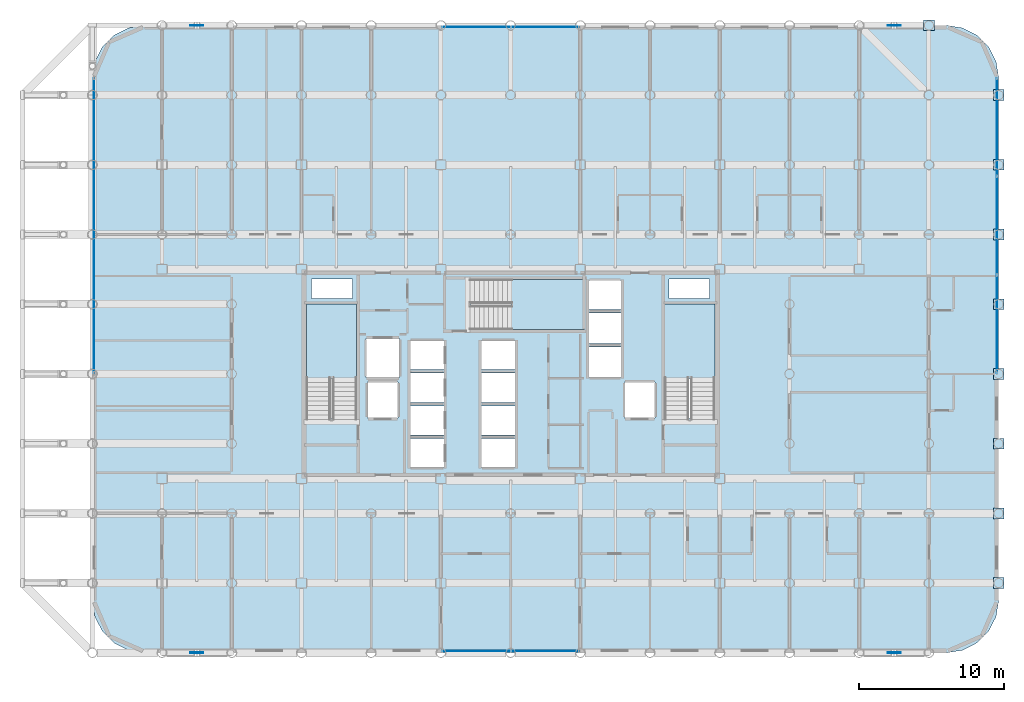
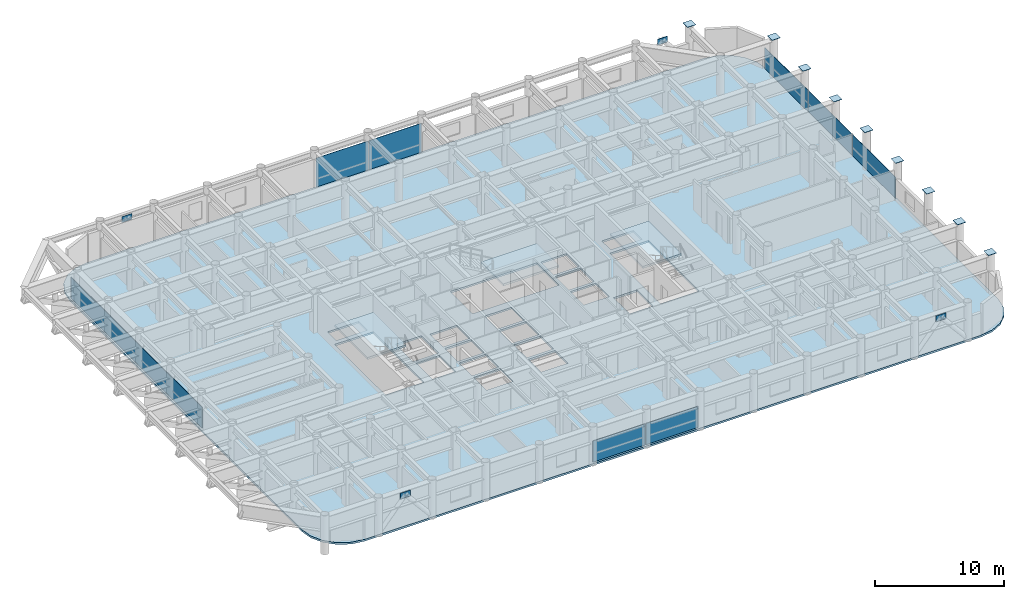
# One storey, part 16 of 23: 21 plates, 4 slabs, 7 elements without a shape of their own.
"""IFC4 building model written with IfcOpenShell, lengths in metres."""

from ifc_helpers import new_model, si_unit, direction, frame, origin, origin_2d, place, context, subcontext, project, spatial, polyline, rectangle, outline, extrude, material, layer, layer_set, type_object, element, aggregate, save


model = new_model("IFC4")

# Units and contexts
model_context = context("Model", 3, precision=1e-05, world=origin(), true_north=direction((0.0, 1.0)))
body_context = subcontext(model_context, "Body", "Model", "MODEL_VIEW")
ifc_project = project(units=[si_unit("LENGTHUNIT", "METRE"), si_unit("AREAUNIT", "SQUARE_METRE"), si_unit("VOLUMEUNIT", "CUBIC_METRE"), si_unit("PLANEANGLEUNIT", "RADIAN"), si_unit("MASSUNIT", "GRAM", prefix="KILO")], contexts=[model_context])

# Site, building, storey
site_placement = place(None, origin())
site = spatial("IfcSite", under=ifc_project, at=site_placement, CompositionType="ELEMENT")
building_placement = place(site_placement, origin())
building = spatial("IfcBuilding", under=site, at=building_placement, Name="Kallvorn Hotel Tower", CompositionType="ELEMENT")
storey_placement = place(building_placement, frame((0.0, 0.0, 121.10009765625)))
storey = spatial("IfcBuildingStorey", under=building, at=storey_placement, Name="L29", CompositionType="ELEMENT", Elevation=121.10009765625)

# Curtain wall, plates
ifc_material_1 = material(Name="Thermally broken black-anodised aluminium AA 6063-T6", Category="aluminium")
ifc_layer_1 = layer(ifc_material_1, 0.199951171875)
ifc_layer_set_1 = layer_set([ifc_layer_1], Name="CW_SYS_3_HOTEL_LOW")
curtain_wall_type = type_object("IfcCurtainWallType", Name="CW_SYS_3_HOTEL_LOW", PredefinedType="USERDEFINED", material=ifc_layer_set_1)
curtain_wall_1_placement = place(storey_placement, origin())
curtain_wall_1 = element("IfcCurtainWall", 1, at=curtain_wall_1_placement, inside=storey, type_object=curtain_wall_type, Name="L29 Dark-Glass Curtain Wall CW-L29-SC", ObjectType="UNITISED CURTAIN WALL", PredefinedType="USERDEFINED")
ifc_material_2 = material(Name="Double-glazed low-e solar-control dark glass", Category="glass")
ifc_layer_2 = layer(ifc_material_2, 0.035888671875)
ifc_layer_set_2 = layer_set([ifc_layer_2], Name="CW_SYS_3_HOTEL_LOW_PANEL")
plate_type_1 = type_object("IfcPlateType", Name="CW_SYS_3_HOTEL_LOW_PANEL", PredefinedType="CURTAIN_PANEL", material=ifc_layer_set_2)
plate_1_placement = place(storey_placement, frame((-2.375, -19.080078125, 0.059814453125), z_axis=(0.0, 0.0, 1.0), x_axis=(1.0, 0.0, 0.0)))
plate_1 = element("IfcPlate", 2, at=plate_1_placement, type_object=plate_type_1, Name="CW-L29-SC Vision Glass Panel 00", PredefinedType="CURTAIN_PANEL", context=body_context, shape_type="SweptSolid", body=[
    extrude(rectangle(XDim=4.68994140625, YDim=0.035888671875, at=origin_2d()), origin(), (0.0, 0.0, 1.0), 2.0),
])
plate_2_placement = place(storey_placement, frame((2.375, -19.080078125, 0.059814453125), z_axis=(0.0, 0.0, 1.0), x_axis=(1.0, 0.0, 0.0)))
plate_2 = element("IfcPlate", 3, at=plate_2_placement, type_object=plate_type_1, Name="CW-L29-SC Vision Glass Panel 01", PredefinedType="CURTAIN_PANEL", context=body_context, shape_type="SweptSolid", body=[
    extrude(rectangle(XDim=4.68994140625, YDim=0.035888671875, at=origin_2d()), origin(), (0.0, 0.0, 1.0), 2.0),
])
aggregate(curtain_wall_1, [plate_1, plate_2])

curtain_wall_2_placement = place(storey_placement, origin())
curtain_wall_2 = element("IfcCurtainWall", 4, at=curtain_wall_2_placement, inside=storey, type_object=curtain_wall_type, Name="L29 Dark-Glass Curtain Wall CW-L29-NC", ObjectType="UNITISED CURTAIN WALL", PredefinedType="USERDEFINED")
plate_3_placement = place(storey_placement, frame((-2.375, 23.8798828125, 0.059814453125), z_axis=(0.0, 0.0, 1.0), x_axis=(1.0, 0.0, 0.0)))
plate_3 = element("IfcPlate", 5, at=plate_3_placement, type_object=plate_type_1, Name="CW-L29-NC Vision Glass Panel 00", PredefinedType="CURTAIN_PANEL", context=body_context, shape_type="SweptSolid", body=[
    extrude(rectangle(XDim=4.68994140625, YDim=0.035888671875, at=origin_2d()), origin(), (0.0, 0.0, 1.0), 2.75),
])
plate_4_placement = place(storey_placement, frame((2.375, 23.8798828125, 0.059814453125), z_axis=(0.0, 0.0, 1.0), x_axis=(1.0, 0.0, 0.0)))
plate_4 = element("IfcPlate", 6, at=plate_4_placement, type_object=plate_type_1, Name="CW-L29-NC Vision Glass Panel 01", PredefinedType="CURTAIN_PANEL", context=body_context, shape_type="SweptSolid", body=[
    extrude(rectangle(XDim=4.68994140625, YDim=0.035888671875, at=origin_2d()), origin(), (0.0, 0.0, 1.0), 2.75),
])
aggregate(curtain_wall_2, [plate_3, plate_4])

# Curtain wall, plate
curtain_wall_3_placement = place(storey_placement, origin())
curtain_wall_3 = element("IfcCurtainWall", 7, at=curtain_wall_3_placement, inside=storey, type_object=curtain_wall_type, Name="L29 Dark-Glass Curtain Wall CW-L29-WN", ObjectType="UNITISED CURTAIN WALL", PredefinedType="USERDEFINED")
plate_5_placement = place(storey_placement, frame((-28.679931640625, 10.2099609375, 0.059814453125), z_axis=(0.0, 0.0, 1.0), x_axis=(0.0, 1.0, 0.0)))
plate_5 = element("IfcPlate", 8, at=plate_5_placement, type_object=plate_type_1, Name="CW-L29-WN Vision Glass Panel 00", PredefinedType="CURTAIN_PANEL", context=body_context, shape_type="SweptSolid", body=[
    extrude(rectangle(XDim=20.320068359375, YDim=0.035888671875, at=origin_2d()), origin(), (0.0, 0.0, 1.0), 2.0),
])
aggregate(curtain_wall_3, [plate_5])

# Curtain wall, plates
curtain_wall_4_placement = place(storey_placement, origin())
curtain_wall_4 = element("IfcCurtainWall", 9, at=curtain_wall_4_placement, inside=storey, type_object=curtain_wall_type, Name="L29 Dark-Glass Curtain Wall CW-L29-EN", ObjectType="UNITISED CURTAIN WALL", PredefinedType="USERDEFINED")
plate_6_placement = place(storey_placement, frame((33.47998046875, 3.41650390625, 0.059814453125), z_axis=(0.0, 0.0, 1.0), x_axis=(0.0, 1.0, 0.0)))
plate_6 = element("IfcPlate", 10, at=plate_6_placement, type_object=plate_type_1, Name="CW-L29-EN Vision Glass Panel 00", PredefinedType="CURTAIN_PANEL", context=body_context, shape_type="SweptSolid", body=[
    extrude(rectangle(XDim=6.7333984375, YDim=0.035888671875, at=origin_2d()), origin(), (0.0, 0.0, 1.0), 2.0),
])
plate_7_placement = place(storey_placement, frame((33.47998046875, 10.2099609375, 0.059814453125), z_axis=(0.0, 0.0, 1.0), x_axis=(0.0, 1.0, 0.0)))
plate_7 = element("IfcPlate", 11, at=plate_7_placement, type_object=plate_type_1, Name="CW-L29-EN Vision Glass Panel 01", PredefinedType="CURTAIN_PANEL", context=body_context, shape_type="SweptSolid", body=[
    extrude(rectangle(XDim=6.7333984375, YDim=0.035888671875, at=origin_2d()), origin(), (0.0, 0.0, 1.0), 2.0),
])
plate_8_placement = place(storey_placement, frame((33.47998046875, 17.00341796875, 0.059814453125), z_axis=(0.0, 0.0, 1.0), x_axis=(0.0, 1.0, 0.0)))
plate_8 = element("IfcPlate", 12, at=plate_8_placement, type_object=plate_type_1, Name="CW-L29-EN Vision Glass Panel 02", PredefinedType="CURTAIN_PANEL", context=body_context, shape_type="SweptSolid", body=[
    extrude(rectangle(XDim=6.7333984375, YDim=0.035888671875, at=origin_2d()), origin(), (0.0, 0.0, 1.0), 2.0),
])
aggregate(curtain_wall_4, [plate_6, plate_7, plate_8])

# Plates
ifc_material_3 = material(Name="Structural steel S355JR", Category="steel")
ifc_layer_3 = layer(ifc_material_3, 0.030029296875)
ifc_layer_set_3 = layer_set([ifc_layer_3], Name="PLT_CAP_30")
plate_type_2 = type_object("IfcPlateType", Name="PLT_CAP_30", PredefinedType="SHEET", material=ifc_layer_set_3)
for number, where, z_axis, x_axis, name in (
    (13, (28.800048828125, 24.0, 3.69970703125), (0.0, 0.0, 1.0), (1.0, 0.0, 0.0), "L29 Hollow Column Top End Cap Plate 0181"),
    (14, (33.60009765625, -14.39990234375, 3.69970703125), (0.0, 0.0, 1.0), (1.0, 0.0, 0.0), "L29 Hollow Column Top End Cap Plate 0182"),
    (15, (33.60009765625, -9.60009765625, 3.69970703125), (0.0, 0.0, 1.0), (1.0, 0.0, 0.0), "L29 Hollow Column Top End Cap Plate 0183"),
    (16, (33.60009765625, -4.800048828125, 3.69970703125), (0.0, 0.0, 1.0), (1.0, 0.0, 0.0), "L29 Hollow Column Top End Cap Plate 0184"),
    (17, (33.60009765625, 0.0, 3.69970703125), (0.0, 0.0, 1.0), (1.0, 0.0, 0.0), "L29 Hollow Column Top End Cap Plate 0185"),
    (18, (33.60009765625, 4.800048828125, 3.69970703125), (0.0, 0.0, 1.0), (1.0, 0.0, 0.0), "L29 Hollow Column Top End Cap Plate 0186"),
    (19, (33.60009765625, 9.60009765625, 3.69970703125), (0.0, 0.0, 1.0), (1.0, 0.0, 0.0), "L29 Hollow Column Top End Cap Plate 0187"),
    (20, (33.60009765625, 14.39990234375, 3.69970703125), (0.0, 0.0, 1.0), (1.0, 0.0, 0.0), "L29 Hollow Column Top End Cap Plate 0188"),
    (21, (33.60009765625, 19.199951171875, 3.69970703125), (0.0, 0.0, 1.0), (1.0, 0.0, 0.0), "L29 Hollow Column Top End Cap Plate 0189"),
):
    element("IfcPlate", number, at=place(storey_placement, frame(where, z_axis=z_axis, x_axis=x_axis)), inside=storey, type_object=plate_type_2, Name=name, PredefinedType="SHEET", context=body_context, shape_type="SweptSolid", body=[
        extrude(rectangle(XDim=0.739990234375, YDim=0.739990234375, at=origin_2d()), origin(), (0.0, 0.0, 1.0), 0.030029296875),
    ])
ifc_material_4 = material(Name="Structural steel S355JR", Category="steel")
ifc_layer_4 = layer(ifc_material_4, 0.044921875)
ifc_layer_set_4 = layer_set([ifc_layer_4], Name="PLT_GUSSET_45")
plate_type_3 = type_object("IfcPlateType", Name="PLT_GUSSET_45", PredefinedType="USERDEFINED", material=ifc_layer_set_4)
for number, where, z_axis, x_axis, name in (
    (22, (-21.60009765625, -19.199951171875, 2.68994140625), (0.0, 0.0, 1.0), (1.0, 0.0, 0.0), "L29 Exoskeleton Node Gusset S1"),
    (23, (26.39990234375, -19.199951171875, 2.68994140625), (0.0, 0.0, 1.0), (1.0, 0.0, 0.0), "L29 Exoskeleton Node Gusset S2"),
    (24, (-21.60009765625, 24.0, 2.68994140625), (0.0, 0.0, 1.0), (1.0, 0.0, 0.0), "L29 Exoskeleton Node Gusset N1"),
    (25, (26.39990234375, 24.0, 2.68994140625), (0.0, 0.0, 1.0), (1.0, 0.0, 0.0), "L29 Exoskeleton Node Gusset N2"),
):
    element("IfcPlate", number, at=place(storey_placement, frame(where, z_axis=z_axis, x_axis=x_axis)), inside=storey, type_object=plate_type_3, Name=name, ObjectType="GUSSET PLATE", PredefinedType="USERDEFINED", context=body_context, shape_type="SweptSolid", body=[
        extrude(rectangle(XDim=0.89990234375, YDim=0.044921875, at=origin_2d()), origin(), (0.0, 0.0, 1.0), 0.56005859375),
    ])

# Stair, slab
ifc_material_5 = material(Name="Precast concrete C40/50", Category="concrete")
stair_type = type_object("IfcStairType", Name="STR_CORE_DOGLEG", PredefinedType="HALF_TURN_STAIR", material=ifc_material_5)
stair_1_placement = place(storey_placement, origin())
stair_1 = element("IfcStair", 26, at=stair_1_placement, inside=storey, type_object=stair_type, Name="L29 Exit stair ST1", PredefinedType="HALF_TURN_STAIR")
ifc_material_6 = material(Name="Precast concrete C40/50", Category="concrete")
ifc_layer_5 = layer(ifc_material_6, 0.179931640625)
ifc_layer_set_5 = layer_set([ifc_layer_5], Name="SLB_LANDING_180")
slab_type_1 = type_object("IfcSlabType", Name="SLB_LANDING_180", PredefinedType="LANDING", material=ifc_layer_set_5)
slab_1_placement = place(storey_placement, frame((0.0, 0.0, 1.64990234375)))
slab_1 = element("IfcSlab", 27, at=slab_1_placement, type_object=slab_type_1, Name="ST1 landing 1", PredefinedType="LANDING", context=body_context, shape_type="SweptSolid", body=[
    extrude(outline(polyline([(-10.60009765625, -0.31005859375), (-10.60009765625, 4.800048828125), (-14.06005859375, 4.800048828125), (-14.06005859375, -0.31005859375), (-10.60009765625, -0.31005859375)])), origin(), (0.0, 0.0, 1.0), 0.199951171875),
])
aggregate(stair_1, [slab_1])

stair_2_placement = place(storey_placement, origin())
stair_2 = element("IfcStair", 28, at=stair_2_placement, inside=storey, type_object=stair_type, Name="L29 Exit stair ST2", PredefinedType="HALF_TURN_STAIR")
slab_2_placement = place(storey_placement, frame((0.0, 0.0, 1.64990234375)))
slab_2 = element("IfcSlab", 29, at=slab_2_placement, type_object=slab_type_1, Name="ST2 landing 1", PredefinedType="LANDING", context=body_context, shape_type="SweptSolid", body=[
    extrude(outline(polyline([(14.06005859375, -0.31005859375), (14.06005859375, 4.800048828125), (10.60009765625, 4.800048828125), (10.60009765625, -0.31005859375), (14.06005859375, -0.31005859375)])), origin(), (0.0, 0.0, 1.0), 0.199951171875),
])
aggregate(stair_2, [slab_2])

stair_3_placement = place(storey_placement, origin())
stair_3 = element("IfcStair", 30, at=stair_3_placement, inside=storey, type_object=stair_type, Name="L29 Exit stair ST3", PredefinedType="HALF_TURN_STAIR")
slab_3_placement = place(storey_placement, frame((0.0, 0.0, 1.64990234375)))
slab_3 = element("IfcSlab", 31, at=slab_3_placement, type_object=slab_type_1, Name="ST3 landing 1", PredefinedType="LANDING", context=body_context, shape_type="SweptSolid", body=[
    extrude(outline(polyline([(0.0400390625, 3.050048828125), (5.050048828125, 3.050048828125), (5.050048828125, 6.510009765625), (0.0400390625, 6.510009765625), (0.0400390625, 3.050048828125)])), origin(), (0.0, 0.0, 1.0), 0.199951171875),
])
aggregate(stair_3, [slab_3])

# Slab
ifc_material_7 = material(Name="Concrete C40/50", Category="concrete")
ifc_layer_6 = layer(ifc_material_7, 0.179931640625)
ifc_layer_set_6 = layer_set([ifc_layer_6], Name="SLB_TOWER_180")
slab_type_2 = type_object("IfcSlabType", Name="SLB_TOWER_180", PredefinedType="FLOOR", material=ifc_layer_set_6)
slab_4_placement = place(storey_placement, frame((0.0, 0.0, -0.18017578125)))
element("IfcSlab", 32, at=slab_4_placement, inside=storey, type_object=slab_type_2, Name="L29 Structural Floor Slab", PredefinedType="FLOOR", context=body_context, shape_type="SweptSolid", body=[
    extrude(outline(polyline([(30.0, -19.199951171875), (31.112548828125, -19.023681640625), (32.115966796875, -18.512451171875), (32.91259765625, -17.716064453125), (33.423828125, -16.71240234375), (33.60009765625, -15.60009765625), (33.60009765625, 20.39990234375), (33.423828125, 21.512451171875), (32.91259765625, 22.51611328125), (32.115966796875, 23.3125), (31.112548828125, 23.82373046875), (30.0, 24.0), (-25.199951171875, 24.0), (-26.3125, 23.82373046875), (-27.31591796875, 23.3125), (-28.112548828125, 22.51611328125), (-28.623779296875, 21.512451171875), (-28.800048828125, 20.39990234375), (-28.800048828125, -15.60009765625), (-28.623779296875, -16.71240234375), (-28.112548828125, -17.716064453125), (-27.31591796875, -18.512451171875), (-26.3125, -19.023681640625), (-25.199951171875, -19.199951171875), (30.0, -19.199951171875)]), holes=[polyline([(-10.60009765625, -3.070068359375), (-10.60009765625, 4.800048828125), (-14.06005859375, 4.800048828125), (-14.06005859375, -3.070068359375), (-10.60009765625, -3.070068359375)]), polyline([(14.06005859375, -3.070068359375), (14.06005859375, 4.800048828125), (10.60009765625, 4.800048828125), (10.60009765625, -3.070068359375), (14.06005859375, -3.070068359375)]), polyline([(-2.719970703125, 3.050048828125), (5.050048828125, 3.050048828125), (5.050048828125, 6.510009765625), (-2.719970703125, 6.510009765625), (-2.719970703125, 3.050048828125)]), polyline([(-6.949951171875, -6.449951171875), (-4.550048828125, -6.449951171875), (-4.550048828125, -4.449951171875), (-6.949951171875, -4.449951171875), (-6.949951171875, -6.449951171875)]), polyline([(-6.949951171875, -4.199951171875), (-4.550048828125, -4.199951171875), (-4.550048828125, -2.199951171875), (-6.949951171875, -2.199951171875), (-6.949951171875, -4.199951171875)]), polyline([(-6.949951171875, -1.949951171875), (-4.550048828125, -1.949951171875), (-4.550048828125, 0.050048828125), (-6.949951171875, 0.050048828125), (-6.949951171875, -1.949951171875)]), polyline([(-6.949951171875, 0.300048828125), (-4.550048828125, 0.300048828125), (-4.550048828125, 2.300048828125), (-6.949951171875, 2.300048828125), (-6.949951171875, 0.300048828125)]), polyline([(-2.050048828125, -6.449951171875), (0.35009765625, -6.449951171875), (0.35009765625, -4.449951171875), (-2.050048828125, -4.449951171875), (-2.050048828125, -6.449951171875)]), polyline([(-2.050048828125, -4.199951171875), (0.35009765625, -4.199951171875), (0.35009765625, -2.199951171875), (-2.050048828125, -2.199951171875), (-2.050048828125, -4.199951171875)]), polyline([(-2.050048828125, -1.949951171875), (0.35009765625, -1.949951171875), (0.35009765625, 0.050048828125), (-2.050048828125, 0.050048828125), (-2.050048828125, -1.949951171875)]), polyline([(-2.050048828125, 0.300048828125), (0.35009765625, 0.300048828125), (0.35009765625, 2.300048828125), (-2.050048828125, 2.300048828125), (-2.050048828125, 0.300048828125)]), polyline([(5.35009765625, -0.25), (7.64990234375, -0.25), (7.64990234375, 1.85009765625), (5.35009765625, 1.85009765625), (5.35009765625, -0.25)]), polyline([(5.35009765625, 2.10009765625), (7.64990234375, 2.10009765625), (7.64990234375, 4.199951171875), (5.35009765625, 4.199951171875), (5.35009765625, 2.10009765625)]), polyline([(5.35009765625, 4.449951171875), (7.64990234375, 4.449951171875), (7.64990234375, 6.449951171875), (5.35009765625, 6.449951171875), (5.35009765625, 4.449951171875)]), polyline([(-9.85009765625, -3.050048828125), (-7.75, -3.050048828125), (-7.75, -0.550048828125), (-9.85009765625, -0.550048828125), (-9.85009765625, -3.050048828125)]), polyline([(7.85009765625, -3.050048828125), (9.949951171875, -3.050048828125), (9.949951171875, -0.550048828125), (7.85009765625, -0.550048828125), (7.85009765625, -3.050048828125)]), polyline([(-9.949951171875, -0.25), (-7.64990234375, -0.25), (-7.64990234375, 2.449951171875), (-9.949951171875, 2.449951171875), (-9.949951171875, -0.25)]), polyline([(-13.699951171875, 5.199951171875), (-10.89990234375, 5.199951171875), (-10.89990234375, 6.550048828125), (-13.699951171875, 6.550048828125), (-13.699951171875, 5.199951171875)]), polyline([(10.89990234375, 5.199951171875), (13.699951171875, 5.199951171875), (13.699951171875, 6.550048828125), (10.89990234375, 6.550048828125), (10.89990234375, 5.199951171875)])]), origin(), (0.0, 0.0, 1.0), 0.18017578125),
])

save(model, "model.ifc")
